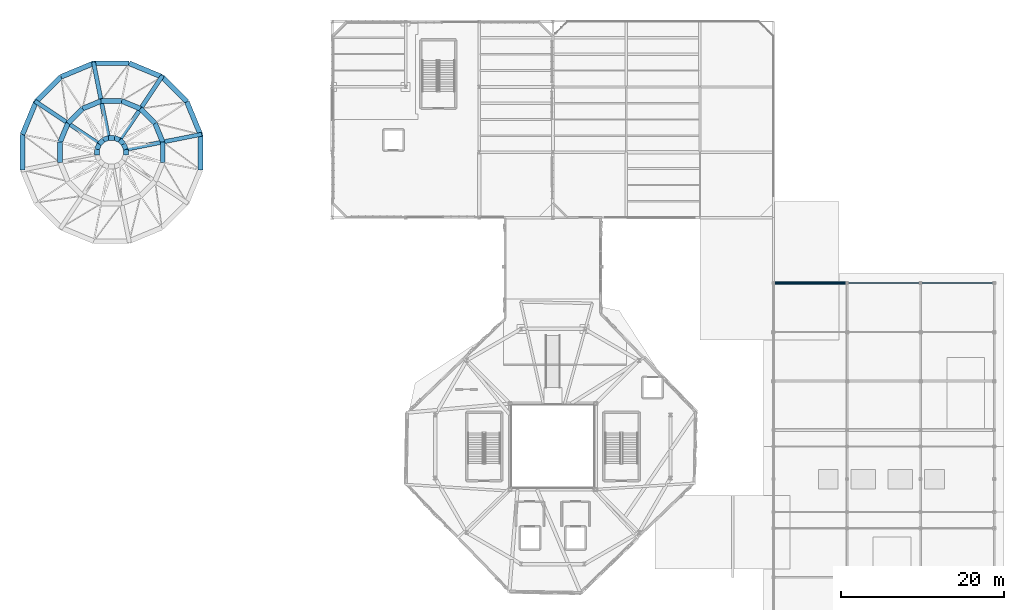
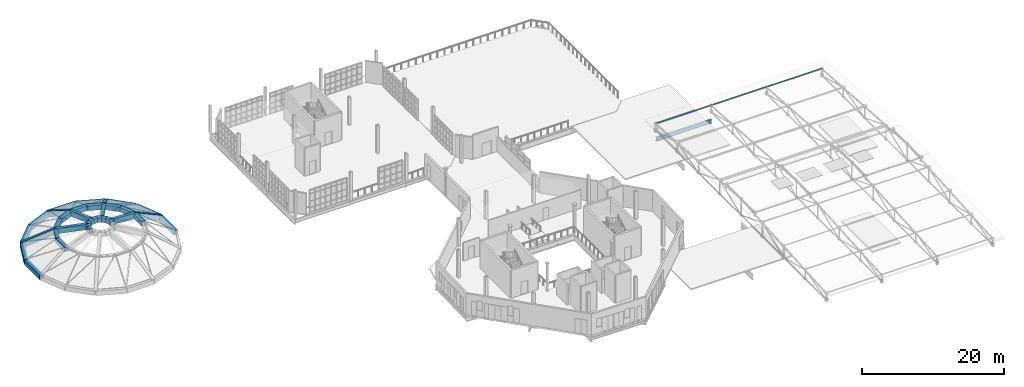
# One storey, part 45 of 85: 36 beams, 3 members.
"""IFC4 building model written with IfcOpenShell, lengths in metres."""

import ifcopenshell
import ifcopenshell.guid

model = None  # the IFC model being written
_history = None  # IfcOwnerHistory: only IFC2X3 demands one
_inside = {}  # id of a spatial element -> (the spatial element, [elements in it])
_under = {}  # id of a project, library or spatial element -> (it, [spatial elements below it])
_declared = {}  # id of a project -> (the project, [libraries it declares])
_typed = {}  # id of a type object -> (the type object, [elements of that type])
_made_of = {}  # id of a material, layer set ... -> (it, [elements and type objects made of it])


def new_model(schema):
    """Start an empty IFC model of exactly this schema.

    Asked for "IFC4X3", IfcOpenShell would pick the latest addendum, in which some entities
    have other attributes; the version numbers below select the first issue.
    IFC2X3 requires an IfcOwnerHistory on every rooted entity: one is made here for all.
    """
    global model, _history
    if schema == "IFC4X3":
        model = ifcopenshell.file(schema_version=(4, 3, 0, 0))
    else:
        model = ifcopenshell.file(schema=schema)
    _inside.clear()
    _under.clear()
    _declared.clear()
    _typed.clear()
    _made_of.clear()
    _history = None
    if model.schema == "IFC2X3":
        org = make("IfcOrganization", Name="unknown")
        user = make(
            "IfcPersonAndOrganization",
            ThePerson=make("IfcPerson", FamilyName="unknown"),
            TheOrganization=org,
        )
        app = make(
            "IfcApplication",
            ApplicationDeveloper=org,
            Version="unknown",
            ApplicationFullName="unknown",
            ApplicationIdentifier="unknown",
        )
        _history = make(
            "IfcOwnerHistory",
            OwningUser=user,
            OwningApplication=app,
            ChangeAction="ADDED",
            CreationDate=0,
        )
    return model


def make(cls, **values):
    """One entity of the class cls with the attributes given. An attribute that is None is left unset."""
    return model.create_entity(
        cls, **{name: value for name, value in values.items() if value is not None}
    )


def rooted(cls, **values):
    """An entity with a GlobalId (a new one), such as an element, a storey or a relation."""
    return make(cls, GlobalId=ifcopenshell.guid.new(), OwnerHistory=_history, **values)


def si_unit(unit_type, name, prefix=None):
    """IfcSIUnit, for example si_unit("LENGTHUNIT", "METRE", prefix="MILLI")."""
    return make("IfcSIUnit", UnitType=unit_type, Prefix=prefix, Name=name)


def assignment(units):
    """IfcUnitAssignment: the units of a project."""
    return None if units is None else make("IfcUnitAssignment", Units=units)


def point(xyz):
    """IfcCartesianPoint."""
    return None if xyz is None else make("IfcCartesianPoint", Coordinates=xyz)


def direction(xyz):
    """IfcDirection."""
    return None if xyz is None else make("IfcDirection", DirectionRatios=xyz)


def frame(location, z_axis=None, x_axis=None):
    """IfcAxis2Placement3D, a coordinate frame: its origin and axes. An axis left out is left unset."""
    return make(
        "IfcAxis2Placement3D",
        Location=point(location),
        Axis=direction(z_axis),
        RefDirection=direction(x_axis),
    )


def frame_2d(location, x_axis=None):
    """IfcAxis2Placement2D, a coordinate frame in the plane: its origin and x axis."""
    return make(
        "IfcAxis2Placement2D", Location=point(location), RefDirection=direction(x_axis)
    )


def origin():
    """The frame at (0, 0, 0) with its axes left unset."""
    return frame((0.0, 0.0, 0.0))


def origin_2d():
    """The frame at (0, 0) in the plane with its x axis left unset."""
    return frame_2d((0.0, 0.0))


def place(relative_to, where):
    """IfcLocalPlacement: puts the frame where relative to a parent placement (None: the world)."""
    return make(
        "IfcLocalPlacement", PlacementRelTo=relative_to, RelativePlacement=where
    )


def context(
    kind, dimensions, precision=None, world=None, true_north=None, identifier=None
):
    """IfcGeometricRepresentationContext, for example the 3D "Model" context."""
    return make(
        "IfcGeometricRepresentationContext",
        ContextIdentifier=identifier,
        ContextType=kind,
        CoordinateSpaceDimension=dimensions,
        Precision=precision,
        WorldCoordinateSystem=world,
        TrueNorth=true_north,
    )


def subcontext(parent, identifier, kind, view, scale=None):
    """IfcGeometricRepresentationSubContext, for example "Body" below "Model"."""
    return make(
        "IfcGeometricRepresentationSubContext",
        ContextIdentifier=identifier,
        ContextType=kind,
        ParentContext=parent,
        TargetScale=scale,
        TargetView=view,
    )


def project(units=None, contexts=None):
    """IfcProject with its units and contexts."""
    return rooted(
        "IfcProject",
        Name="project",
        RepresentationContexts=contexts,
        UnitsInContext=assignment(units),
    )


def spatial(cls, under=None, at=None, **own):
    """A site, building, storey or space (cls), placed at a placement, below another one or the project."""
    s = rooted(cls, ObjectPlacement=at, **own)
    if under is not None:
        _under.setdefault(under.id(), (under, []))[1].append(s)
    return s


def profile(cls, at=None, kind="AREA", **sizes):
    """A parametric profile (cls). Its sizes go by their IFC names, for example OverallWidth=200.0."""
    return make(cls, ProfileType=kind, Position=at, **sizes)


def rectangle(**sizes):
    """IfcRectangleProfileDef."""
    return profile("IfcRectangleProfileDef", **sizes)


def hollow_rectangle(**sizes):
    """IfcRectangleHollowProfileDef."""
    return profile("IfcRectangleHollowProfileDef", **sizes)


def i_section(**sizes):
    """IfcIShapeProfileDef."""
    return profile("IfcIShapeProfileDef", **sizes)


def extrude(swept, where, along, depth):
    """IfcExtrudedAreaSolid: the profile swept, set in the frame where, extruded along a direction by depth."""
    return make(
        "IfcExtrudedAreaSolid",
        SweptArea=swept,
        Position=where,
        ExtrudedDirection=direction(along),
        Depth=depth,
    )


def shape(context_of_items, identifier, shape_type, items):
    """IfcShapeRepresentation: the items that make up one representation, for example the "Body"."""
    return make(
        "IfcShapeRepresentation",
        ContextOfItems=context_of_items,
        RepresentationIdentifier=identifier,
        RepresentationType=shape_type,
        Items=items,
    )


def material(Name=None, Category=None):
    """IfcMaterial."""
    return make("IfcMaterial", Name=Name, Category=Category)


def material_profile(
    of_material, cross_section, Name=None, Category=None, Priority=None
):
    """IfcMaterialProfile: a cross section and its material."""
    return make(
        "IfcMaterialProfile",
        Name=Name,
        Material=of_material,
        Profile=cross_section,
        Priority=Priority,
        Category=Category,
    )


def profile_set(profiles, Name=None, composite=None):
    """IfcMaterialProfileSet."""
    return make(
        "IfcMaterialProfileSet",
        Name=Name,
        MaterialProfiles=profiles,
        CompositeProfile=composite,
    )


def made_of(thing, what):
    """Note that an element or type object is made of a material, layer set ...; save() writes the relation."""
    if what is not None:
        _made_of.setdefault(what.id(), (what, []))[1].append(thing)
    return thing


def type_object(cls, material=None, **own):
    """A type object (cls), such as IfcWallType, which elements share."""
    return made_of(rooted(cls, **own), material)


def element(
    cls,
    number,
    at=None,
    inside=None,
    cuts=None,
    type_object=None,
    material=None,
    context=None,
    identifier="Body",
    shape_type=None,
    held_by="IfcProductDefinitionShape",
    body=None,
    shapes=None,
    **own,
):
    """One element of the class cls, such as IfcWall. Its Tag is "e" and its number.

    at: its placement. inside: the storey or other place that contains it. cuts: it is an
    opening in that element (IfcRelVoidsElement). A single representation is given by context,
    identifier, shape_type and body (its items); several are given by shapes. held_by: the class
    of the entity that holds the representations. save() writes the other relations.
    """
    e = rooted(cls, Tag="e%d" % number, ObjectPlacement=at, **own)
    if body is not None:
        shapes = [shape(context, identifier, shape_type, body)]
    if shapes is not None:
        e.Representation = make(held_by, Representations=shapes)
    if inside is not None:
        _inside.setdefault(inside.id(), (inside, []))[1].append(e)
    if cuts is not None:
        rooted(
            "IfcRelVoidsElement", RelatingBuildingElement=cuts, RelatedOpeningElement=e
        )
    if type_object is not None:
        _typed.setdefault(type_object.id(), (type_object, []))[1].append(e)
    return made_of(e, material)


def aggregate(whole, parts):
    """IfcRelAggregates: a whole, such as a stair, and the parts it consists of."""
    return rooted("IfcRelAggregates", RelatingObject=whole, RelatedObjects=parts)


def save(model, path):
    """Write the relations noted so far, then the file.

    IfcRelAggregates (storeys below a building ...), IfcRelContainedInSpatialStructure (elements
    in a storey), IfcRelDefinesByType, IfcRelAssociatesMaterial and IfcRelDeclares: one each for
    every whole, place, type object, material and project.
    """
    for whole, parts in _under.values():
        aggregate(whole, parts)
    for where, things in _inside.values():
        rooted(
            "IfcRelContainedInSpatialStructure",
            RelatedElements=things,
            RelatingStructure=where,
        )
    for kind, things in _typed.values():
        rooted("IfcRelDefinesByType", RelatedObjects=things, RelatingType=kind)
    for what, things in _made_of.values():
        rooted("IfcRelAssociatesMaterial", RelatedObjects=things, RelatingMaterial=what)
    for by, libraries in _declared.values():
        rooted("IfcRelDeclares", RelatingContext=by, RelatedDefinitions=libraries)
    model.write(path)


model = new_model("IFC4")

# Units and contexts
model_context = context("Model", 3, precision=1e-05, world=origin(), true_north=direction((0.0, 1.0)))
body_context = subcontext(model_context, "Body", "Model", "MODEL_VIEW")
ifc_project = project(units=[si_unit("LENGTHUNIT", "METRE"), si_unit("AREAUNIT", "SQUARE_METRE"), si_unit("VOLUMEUNIT", "CUBIC_METRE"), si_unit("PLANEANGLEUNIT", "RADIAN"), si_unit("MASSUNIT", "GRAM", prefix="KILO"), si_unit("THERMODYNAMICTEMPERATUREUNIT", "KELVIN"), si_unit("POWERUNIT", "WATT")], contexts=[model_context])

# Site, building, storey
site_placement = place(None, origin())
site = spatial("IfcSite", under=ifc_project, at=site_placement, CompositionType="ELEMENT")
building_placement = place(site_placement, origin())
building = spatial("IfcBuilding", under=site, at=building_placement, Name="Zelmaris Science Centre", CompositionType="ELEMENT")
storey_placement = place(building_placement, frame((0.0, 0.0, 20.39990234375)))
storey = spatial("IfcBuildingStorey", under=building, at=storey_placement, Name="L04", CompositionType="ELEMENT", Elevation=20.39990234375)

# Beams
ifc_material_1 = material(Name="Steel ASTM A992 Grade 50", Category="steel")
ifc_material_profile_1 = material_profile(ifc_material_1, i_section(OverallWidth=0.324951171875, OverallDepth=0.612060546875, WebThickness=0.0126953125, FlangeThickness=0.01904296875, FilletRadius=0.014892578125, at=origin_2d()), Name="W24X104")
ifc_profile_set_1 = profile_set([ifc_material_profile_1], Name="Steel ASTM A992 Grade 50")
beam_type_1 = type_object("IfcBeamType", Name="Beam G-15 W24X104", PredefinedType="BEAM", material=ifc_profile_set_1)
beam_1_placement = place(storey_placement, frame((108.0, 56.0, -0.555908203125), z_axis=(1.0, 0.0, 0.0), x_axis=(0.0, 1.0, 0.0)))
element("IfcBeam", 1, at=beam_1_placement, inside=storey, type_object=beam_type_1, Name="L04 East-west girder 845", PredefinedType="BEAM", context=body_context, shape_type="SweptSolid", body=[
    extrude(i_section(OverallWidth=0.324951171875, OverallDepth=0.612060546875, WebThickness=0.0126953125, FlangeThickness=0.01904296875, FilletRadius=0.014892578125, at=origin_2d()), origin(), (0.0, 0.0, 1.0), 9.0),
])
ifc_material_2 = material(Name="Concrete C40/50", Category="concrete")
ifc_material_profile_2 = material_profile(ifc_material_2, rectangle(XDim=0.60009765625, YDim=0.800048828125, at=origin_2d()), Name="RC-COLLAR-600X800")
ifc_profile_set_2 = profile_set([ifc_material_profile_2], Name="Concrete C40/50")
beam_type_2 = type_object("IfcBeamType", Name="Beam SP-05 RC-COLLAR-600X800", PredefinedType="SPANDREL", material=ifc_profile_set_2)
beam_2_placement = place(storey_placement, frame((37.88671875, 74.16552734375, -0.449951171875), z_axis=(-0.382705273365, 0.92387048537, 0.0), x_axis=(-0.92387048537, -0.382705273365, 0.0)))
element("IfcBeam", 2, at=beam_2_placement, inside=storey, type_object=beam_type_2, Name="Planetarium dome collar ring 1 segment 1", PredefinedType="SPANDREL", context=body_context, shape_type="SweptSolid", body=[
    extrude(rectangle(XDim=0.60009765625, YDim=0.800048828125, at=origin_2d()), origin(), (0.0, 0.0, 1.0), 4.330810546875),
])
beam_3_placement = place(storey_placement, frame((36.229248046875, 78.166748046875, -0.449951171875), z_axis=(-0.707106781187, 0.707106781187, 0.0), x_axis=(-0.707106781187, -0.707106781187, 0.0)))
element("IfcBeam", 3, at=beam_3_placement, inside=storey, type_object=beam_type_2, Name="Planetarium dome collar ring 1 segment 2", PredefinedType="SPANDREL", context=body_context, shape_type="SweptSolid", body=[
    extrude(rectangle(XDim=0.60009765625, YDim=0.800048828125, at=origin_2d()), origin(), (0.0, 0.0, 1.0), 4.3310546875),
])
beam_4_placement = place(storey_placement, frame((33.166748046875, 81.229248046875, -0.449951171875), z_axis=(-0.92387048537, 0.382705273365, 0.0), x_axis=(-0.382705273365, -0.92387048537, 0.0)))
element("IfcBeam", 4, at=beam_4_placement, inside=storey, type_object=beam_type_2, Name="Planetarium dome collar ring 1 segment 3", PredefinedType="SPANDREL", context=body_context, shape_type="SweptSolid", body=[
    extrude(rectangle(XDim=0.60009765625, YDim=0.800048828125, at=origin_2d()), origin(), (0.0, 0.0, 1.0), 4.330810546875),
])
beam_5_placement = place(storey_placement, frame((29.16552734375, 82.88671875, -0.449951171875), z_axis=(-1.0, 0.0, 0.0), x_axis=(0.0, -1.0, 0.0)))
element("IfcBeam", 5, at=beam_5_placement, inside=storey, type_object=beam_type_2, Name="Planetarium dome collar ring 1 segment 4", PredefinedType="SPANDREL", context=body_context, shape_type="SweptSolid", body=[
    extrude(rectangle(XDim=0.60009765625, YDim=0.800048828125, at=origin_2d()), origin(), (0.0, 0.0, 1.0), 4.3310546875),
])
beam_6_placement = place(storey_placement, frame((24.83447265625, 82.88671875, -0.449951171875), z_axis=(-0.92387048537, -0.382705273365, 0.0), x_axis=(0.382705273365, -0.92387048537, 0.0)))
element("IfcBeam", 6, at=beam_6_placement, inside=storey, type_object=beam_type_2, Name="Planetarium dome collar ring 1 segment 5", PredefinedType="SPANDREL", context=body_context, shape_type="SweptSolid", body=[
    extrude(rectangle(XDim=0.60009765625, YDim=0.800048828125, at=origin_2d()), origin(), (0.0, 0.0, 1.0), 4.330810546875),
])
beam_7_placement = place(storey_placement, frame((20.833251953125, 81.229248046875, -0.449951171875), z_axis=(-0.707106781187, -0.707106781187, 0.0), x_axis=(0.707106781187, -0.707106781187, 0.0)))
element("IfcBeam", 7, at=beam_7_placement, inside=storey, type_object=beam_type_2, Name="Planetarium dome collar ring 1 segment 6", PredefinedType="SPANDREL", context=body_context, shape_type="SweptSolid", body=[
    extrude(rectangle(XDim=0.60009765625, YDim=0.800048828125, at=origin_2d()), origin(), (0.0, 0.0, 1.0), 4.3310546875),
])
beam_8_placement = place(storey_placement, frame((17.770751953125, 78.166748046875, -0.449951171875), z_axis=(-0.382705273365, -0.92387048537, 0.0), x_axis=(0.92387048537, -0.382705273365, 0.0)))
element("IfcBeam", 8, at=beam_8_placement, inside=storey, type_object=beam_type_2, Name="Planetarium dome collar ring 1 segment 7", PredefinedType="SPANDREL", context=body_context, shape_type="SweptSolid", body=[
    extrude(rectangle(XDim=0.60009765625, YDim=0.800048828125, at=origin_2d()), origin(), (0.0, 0.0, 1.0), 4.330810546875),
])
for number, where, z_axis, x_axis, name in (
    (9, (16.11328125, 74.16552734375, -0.449951171875), (0.0, -1.0, 0.0), (1.0, 0.0, 0.0), "Planetarium dome collar ring 1 segment 8"),
    (10, (37.88671875, 69.83447265625, -0.449951171875), (0.0, 1.0, 0.0), (-1.0, 0.0, 0.0), "Planetarium dome collar ring 1 segment 16"),
):
    element("IfcBeam", number, at=place(storey_placement, frame(where, z_axis=z_axis, x_axis=x_axis)), inside=storey, type_object=beam_type_2, Name=name, PredefinedType="SPANDREL", context=body_context, shape_type="SweptSolid", body=[
        extrude(rectangle(XDim=0.60009765625, YDim=0.800048828125, at=origin_2d()), origin(), (0.0, 0.0, 1.0), 4.3310546875),
    ])
beam_9_placement = place(storey_placement, frame((33.277099609375, 73.24853515625, 2.150146484375), z_axis=(-0.38274032778, 0.923855963606, 0.0), x_axis=(-0.923855963606, -0.38274032778, 0.0)))
element("IfcBeam", 11, at=beam_9_placement, inside=storey, type_object=beam_type_2, Name="Planetarium dome collar ring 2 segment 1", PredefinedType="SPANDREL", context=body_context, shape_type="SweptSolid", body=[
    extrude(rectangle(XDim=0.60009765625, YDim=0.800048828125, at=origin_2d()), origin(), (0.0, 0.0, 1.0), 2.497314453125),
])
beam_10_placement = place(storey_placement, frame((32.3212890625, 75.5556640625, 2.150146484375), z_axis=(-0.707106781187, 0.707106781187, 0.0), x_axis=(-0.707106781187, -0.707106781187, 0.0)))
element("IfcBeam", 12, at=beam_10_placement, inside=storey, type_object=beam_type_2, Name="Planetarium dome collar ring 2 segment 2", PredefinedType="SPANDREL", context=body_context, shape_type="SweptSolid", body=[
    extrude(rectangle(XDim=0.60009765625, YDim=0.800048828125, at=origin_2d()), origin(), (0.0, 0.0, 1.0), 2.4970703125),
])
beam_11_placement = place(storey_placement, frame((30.5556640625, 77.3212890625, 2.150146484375), z_axis=(-0.923855963606, 0.38274032778, 0.0), x_axis=(-0.38274032778, -0.923855963606, 0.0)))
element("IfcBeam", 13, at=beam_11_placement, inside=storey, type_object=beam_type_2, Name="Planetarium dome collar ring 2 segment 3", PredefinedType="SPANDREL", context=body_context, shape_type="SweptSolid", body=[
    extrude(rectangle(XDim=0.60009765625, YDim=0.800048828125, at=origin_2d()), origin(), (0.0, 0.0, 1.0), 2.497314453125),
])
beam_12_placement = place(storey_placement, frame((28.24853515625, 78.277099609375, 2.150146484375), z_axis=(-1.0, 0.0, 0.0), x_axis=(0.0, -1.0, 0.0)))
element("IfcBeam", 14, at=beam_12_placement, inside=storey, type_object=beam_type_2, Name="Planetarium dome collar ring 2 segment 4", PredefinedType="SPANDREL", context=body_context, shape_type="SweptSolid", body=[
    extrude(rectangle(XDim=0.60009765625, YDim=0.800048828125, at=origin_2d()), origin(), (0.0, 0.0, 1.0), 2.4970703125),
])
beam_13_placement = place(storey_placement, frame((25.75146484375, 78.277099609375, 2.150146484375), z_axis=(-0.923855963606, -0.38274032778, 0.0), x_axis=(0.38274032778, -0.923855963606, 0.0)))
element("IfcBeam", 15, at=beam_13_placement, inside=storey, type_object=beam_type_2, Name="Planetarium dome collar ring 2 segment 5", PredefinedType="SPANDREL", context=body_context, shape_type="SweptSolid", body=[
    extrude(rectangle(XDim=0.60009765625, YDim=0.800048828125, at=origin_2d()), origin(), (0.0, 0.0, 1.0), 2.497314453125),
])
beam_14_placement = place(storey_placement, frame((23.4443359375, 77.3212890625, 2.150146484375), z_axis=(-0.707106781187, -0.707106781187, 0.0), x_axis=(0.707106781187, -0.707106781187, 0.0)))
element("IfcBeam", 16, at=beam_14_placement, inside=storey, type_object=beam_type_2, Name="Planetarium dome collar ring 2 segment 6", PredefinedType="SPANDREL", context=body_context, shape_type="SweptSolid", body=[
    extrude(rectangle(XDim=0.60009765625, YDim=0.800048828125, at=origin_2d()), origin(), (0.0, 0.0, 1.0), 2.4970703125),
])
beam_15_placement = place(storey_placement, frame((21.6787109375, 75.5556640625, 2.150146484375), z_axis=(-0.38274032778, -0.923855963606, 0.0), x_axis=(0.923855963606, -0.38274032778, 0.0)))
element("IfcBeam", 17, at=beam_15_placement, inside=storey, type_object=beam_type_2, Name="Planetarium dome collar ring 2 segment 7", PredefinedType="SPANDREL", context=body_context, shape_type="SweptSolid", body=[
    extrude(rectangle(XDim=0.60009765625, YDim=0.800048828125, at=origin_2d()), origin(), (0.0, 0.0, 1.0), 2.497314453125),
])
for number, where, z_axis, x_axis, name in (
    (18, (20.722900390625, 73.24853515625, 2.150146484375), (0.0, -1.0, 0.0), (1.0, 0.0, 0.0), "Planetarium dome collar ring 2 segment 8"),
    (19, (33.277099609375, 70.75146484375, 2.150146484375), (0.0, 1.0, 0.0), (-1.0, 0.0, 0.0), "Planetarium dome collar ring 2 segment 16"),
):
    element("IfcBeam", number, at=place(storey_placement, frame(where, z_axis=z_axis, x_axis=x_axis)), inside=storey, type_object=beam_type_2, Name=name, PredefinedType="SPANDREL", context=body_context, shape_type="SweptSolid", body=[
        extrude(rectangle(XDim=0.60009765625, YDim=0.800048828125, at=origin_2d()), origin(), (0.0, 0.0, 1.0), 2.4970703125),
    ])
beam_16_placement = place(storey_placement, frame((28.765380859375, 72.351318359375, 3.150146484375), z_axis=(-0.382812397207, 0.923826102979, 0.0), x_axis=(-0.923826102979, -0.382812397207, 0.0)))
element("IfcBeam", 20, at=beam_16_placement, inside=storey, type_object=beam_type_2, Name="Planetarium dome collar ring 3 segment 1", PredefinedType="SPANDREL", context=body_context, shape_type="SweptSolid", body=[
    extrude(rectangle(XDim=0.60009765625, YDim=0.800048828125, at=origin_2d()), origin(), (0.0, 0.0, 1.0), 0.7021484375),
])
beam_17_placement = place(storey_placement, frame((28.49658203125, 73.0, 3.150146484375), z_axis=(-0.707106781187, 0.707106781187, 0.0), x_axis=(-0.707106781187, -0.707106781187, 0.0)))
element("IfcBeam", 21, at=beam_17_placement, inside=storey, type_object=beam_type_2, Name="Planetarium dome collar ring 3 segment 2", PredefinedType="SPANDREL", context=body_context, shape_type="SweptSolid", body=[
    extrude(rectangle(XDim=0.60009765625, YDim=0.800048828125, at=origin_2d()), origin(), (0.0, 0.0, 1.0), 0.702392578125),
])
beam_18_placement = place(storey_placement, frame((28.0, 73.49658203125, 3.150146484375), z_axis=(-0.923826102979, 0.382812397207, 0.0), x_axis=(-0.382812397207, -0.923826102979, 0.0)))
element("IfcBeam", 22, at=beam_18_placement, inside=storey, type_object=beam_type_2, Name="Planetarium dome collar ring 3 segment 3", PredefinedType="SPANDREL", context=body_context, shape_type="SweptSolid", body=[
    extrude(rectangle(XDim=0.60009765625, YDim=0.800048828125, at=origin_2d()), origin(), (0.0, 0.0, 1.0), 0.7021484375),
])
beam_19_placement = place(storey_placement, frame((27.351318359375, 73.765380859375, 3.150146484375), z_axis=(-1.0, 0.0, 0.0), x_axis=(0.0, -1.0, 0.0)))
element("IfcBeam", 23, at=beam_19_placement, inside=storey, type_object=beam_type_2, Name="Planetarium dome collar ring 3 segment 4", PredefinedType="SPANDREL", context=body_context, shape_type="SweptSolid", body=[
    extrude(rectangle(XDim=0.60009765625, YDim=0.800048828125, at=origin_2d()), origin(), (0.0, 0.0, 1.0), 0.70263671875),
])
beam_20_placement = place(storey_placement, frame((26.648681640625, 73.765380859375, 3.150146484375), z_axis=(-0.923826102979, -0.382812397207, 0.0), x_axis=(0.382812397207, -0.923826102979, 0.0)))
element("IfcBeam", 24, at=beam_20_placement, inside=storey, type_object=beam_type_2, Name="Planetarium dome collar ring 3 segment 5", PredefinedType="SPANDREL", context=body_context, shape_type="SweptSolid", body=[
    extrude(rectangle(XDim=0.60009765625, YDim=0.800048828125, at=origin_2d()), origin(), (0.0, 0.0, 1.0), 0.7021484375),
])
beam_21_placement = place(storey_placement, frame((26.0, 73.49658203125, 3.150146484375), z_axis=(-0.707106781187, -0.707106781187, 0.0), x_axis=(0.707106781187, -0.707106781187, 0.0)))
element("IfcBeam", 25, at=beam_21_placement, inside=storey, type_object=beam_type_2, Name="Planetarium dome collar ring 3 segment 6", PredefinedType="SPANDREL", context=body_context, shape_type="SweptSolid", body=[
    extrude(rectangle(XDim=0.60009765625, YDim=0.800048828125, at=origin_2d()), origin(), (0.0, 0.0, 1.0), 0.702392578125),
])
beam_22_placement = place(storey_placement, frame((25.50341796875, 73.0, 3.150146484375), z_axis=(-0.382812397207, -0.923826102979, 0.0), x_axis=(0.923826102979, -0.382812397207, 0.0)))
element("IfcBeam", 26, at=beam_22_placement, inside=storey, type_object=beam_type_2, Name="Planetarium dome collar ring 3 segment 7", PredefinedType="SPANDREL", context=body_context, shape_type="SweptSolid", body=[
    extrude(rectangle(XDim=0.60009765625, YDim=0.800048828125, at=origin_2d()), origin(), (0.0, 0.0, 1.0), 0.7021484375),
])
for number, where, z_axis, x_axis, name in (
    (27, (25.234619140625, 72.351318359375, 3.150146484375), (0.0, -1.0, 0.0), (1.0, 0.0, 0.0), "Planetarium dome collar ring 3 segment 8"),
    (28, (28.765380859375, 71.648681640625, 3.150146484375), (0.0, 1.0, 0.0), (-1.0, 0.0, 0.0), "Planetarium dome collar ring 3 segment 16"),
):
    element("IfcBeam", number, at=place(storey_placement, frame(where, z_axis=z_axis, x_axis=x_axis)), inside=storey, type_object=beam_type_2, Name=name, PredefinedType="SPANDREL", context=body_context, shape_type="SweptSolid", body=[
        extrude(rectangle(XDim=0.60009765625, YDim=0.800048828125, at=origin_2d()), origin(), (0.0, 0.0, 1.0), 0.70263671875),
    ])
ifc_material_profile_3 = material_profile(ifc_material_2, rectangle(XDim=0.5, YDim=0.89990234375, at=origin_2d()), Name="RC-RIB-500X900")
ifc_profile_set_3 = profile_set([ifc_material_profile_3], Name="Concrete C40/50")
beam_type_3 = type_object("IfcBeamType", Name="Dome Rib RC-RIB-500X900", PredefinedType="BEAM", material=ifc_profile_set_3)
beam_23_placement = place(storey_placement, frame((37.88671875, 74.16552734375, -0.47998046875), z_axis=(-0.858207593579, -0.170723357952, 0.484079808888), x_axis=(0.195107090954, -0.980781944705, 0.0)))
element("IfcBeam", 29, at=beam_23_placement, inside=storey, type_object=beam_type_3, Name="Planetarium dome meridional rib 1 segment 2", PredefinedType="BEAM", context=body_context, shape_type="SweptSolid", body=[
    extrude(rectangle(XDim=0.5, YDim=0.89990234375, at=origin_2d()), origin(), (0.0, 0.0, 1.0), 5.371337890625),
])
beam_24_placement = place(storey_placement, frame((33.277099609375, 73.24853515625, 2.1201171875), z_axis=(-0.958409746822, -0.190592847379, 0.212426749079), x_axis=(0.195044345786, -0.980794424524, 0.0)))
element("IfcBeam", 30, at=beam_24_placement, inside=storey, type_object=beam_type_3, Name="Planetarium dome meridional rib 1 segment 3", PredefinedType="BEAM", context=body_context, shape_type="SweptSolid", body=[
    extrude(rectangle(XDim=0.5, YDim=0.89990234375, at=origin_2d()), origin(), (0.0, 0.0, 1.0), 4.70751953125),
])
beam_25_placement = place(storey_placement, frame((33.166748046875, 81.229248046875, -0.47998046875), z_axis=(-0.486121512048, -0.727568681005, 0.484076119991), x_axis=(0.831482460604, -0.555551003696, 0.0)))
element("IfcBeam", 31, at=beam_25_placement, inside=storey, type_object=beam_type_3, Name="Planetarium dome meridional rib 2 segment 2", PredefinedType="BEAM", context=body_context, shape_type="SweptSolid", body=[
    extrude(rectangle(XDim=0.5, YDim=0.89990234375, at=origin_2d()), origin(), (0.0, 0.0, 1.0), 5.371337890625),
])
beam_26_placement = place(storey_placement, frame((30.5556640625, 77.3212890625, 2.1201171875), z_axis=(-0.542901224977, -0.812484771731, 0.212430590132), x_axis=(0.831461927124, -0.555581734529, 0.0)))
element("IfcBeam", 32, at=beam_26_placement, inside=storey, type_object=beam_type_3, Name="Planetarium dome meridional rib 2 segment 3", PredefinedType="BEAM", context=body_context, shape_type="SweptSolid", body=[
    extrude(rectangle(XDim=0.5, YDim=0.89990234375, at=origin_2d()), origin(), (0.0, 0.0, 1.0), 4.70751953125),
])
beam_27_placement = place(storey_placement, frame((24.83447265625, 82.88671875, -0.47998046875), z_axis=(0.170723357952, -0.858207593579, 0.484079808888), x_axis=(0.980781944705, 0.195107090954, 0.0)))
element("IfcBeam", 33, at=beam_27_placement, inside=storey, type_object=beam_type_3, Name="Planetarium dome meridional rib 3 segment 2", PredefinedType="BEAM", context=body_context, shape_type="SweptSolid", body=[
    extrude(rectangle(XDim=0.5, YDim=0.89990234375, at=origin_2d()), origin(), (0.0, 0.0, 1.0), 5.371337890625),
])
beam_28_placement = place(storey_placement, frame((25.75146484375, 78.277099609375, 2.1201171875), z_axis=(0.190592847379, -0.958409746822, 0.212426749079), x_axis=(0.980794424524, 0.195044345786, 0.0)))
element("IfcBeam", 34, at=beam_28_placement, inside=storey, type_object=beam_type_3, Name="Planetarium dome meridional rib 3 segment 3", PredefinedType="BEAM", context=body_context, shape_type="SweptSolid", body=[
    extrude(rectangle(XDim=0.5, YDim=0.89990234375, at=origin_2d()), origin(), (0.0, 0.0, 1.0), 4.70751953125),
])
beam_29_placement = place(storey_placement, frame((17.770751953125, 78.166748046875, -0.47998046875), z_axis=(0.727568681005, -0.486121512048, 0.484076119991), x_axis=(0.555551003696, 0.831482460604, 0.0)))
element("IfcBeam", 35, at=beam_29_placement, inside=storey, type_object=beam_type_3, Name="Planetarium dome meridional rib 4 segment 2", PredefinedType="BEAM", context=body_context, shape_type="SweptSolid", body=[
    extrude(rectangle(XDim=0.5, YDim=0.89990234375, at=origin_2d()), origin(), (0.0, 0.0, 1.0), 5.371337890625),
])
beam_30_placement = place(storey_placement, frame((21.6787109375, 75.5556640625, 2.1201171875), z_axis=(0.812484771731, -0.542901224977, 0.212430590132), x_axis=(0.555581734529, 0.831461927124, 0.0)))
element("IfcBeam", 36, at=beam_30_placement, inside=storey, type_object=beam_type_3, Name="Planetarium dome meridional rib 4 segment 3", PredefinedType="BEAM", context=body_context, shape_type="SweptSolid", body=[
    extrude(rectangle(XDim=0.5, YDim=0.89990234375, at=origin_2d()), origin(), (0.0, 0.0, 1.0), 4.70751953125),
])

# Members
ifc_material_3 = material(Name="Steel ASTM A500 Grade C", Category="steel")
ifc_material_profile_4 = material_profile(ifc_material_3, hollow_rectangle(XDim=0.15234375, YDim=0.203125, WallThickness=0.0087890625, InnerFilletRadius=0.0087890625, OuterFilletRadius=0.017822265625, at=origin_2d()), Name="HSS203X152X10")
ifc_profile_set_4 = profile_set([ifc_material_profile_4], Name="Steel ASTM A500 Grade C")
member_type = type_object("IfcMemberType", Name="Roof Purlin PR-02 HSS203X152X10", PredefinedType="PURLIN", material=ifc_profile_set_4)
for number, where, z_axis, x_axis, name in (
    (37, (108.0, 56.0, 2.142822265625), (1.0, 0.0, 0.0), (0.0, 1.0, 0.0), "RF-V4 Roof purlin 8"),
    (38, (117.0, 56.0, 2.142822265625), (1.0, 0.0, 0.0), (0.0, 1.0, 0.0), "RF-V4 Roof purlin 16"),
    (39, (126.0, 56.0, 2.142822265625), (1.0, 0.0, 0.0), (0.0, 1.0, 0.0), "RF-V4 Roof purlin 24"),
):
    element("IfcMember", number, at=place(storey_placement, frame(where, z_axis=z_axis, x_axis=x_axis)), inside=storey, type_object=member_type, Name=name, PredefinedType="PURLIN", context=body_context, shape_type="SweptSolid", body=[
        extrude(hollow_rectangle(XDim=0.15234375, YDim=0.203125, WallThickness=0.0087890625, InnerFilletRadius=0.0087890625, OuterFilletRadius=0.017822265625, at=origin_2d()), origin(), (0.0, 0.0, 1.0), 9.0),
    ])

save(model, "model.ifc")
